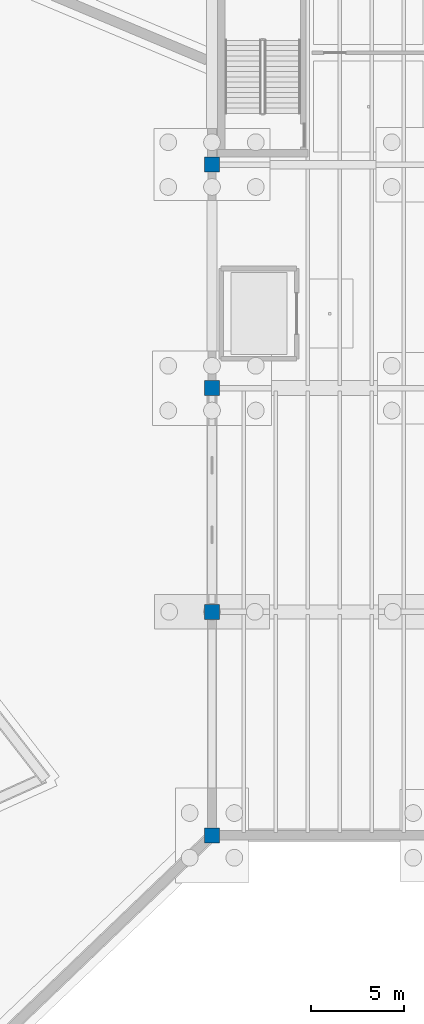
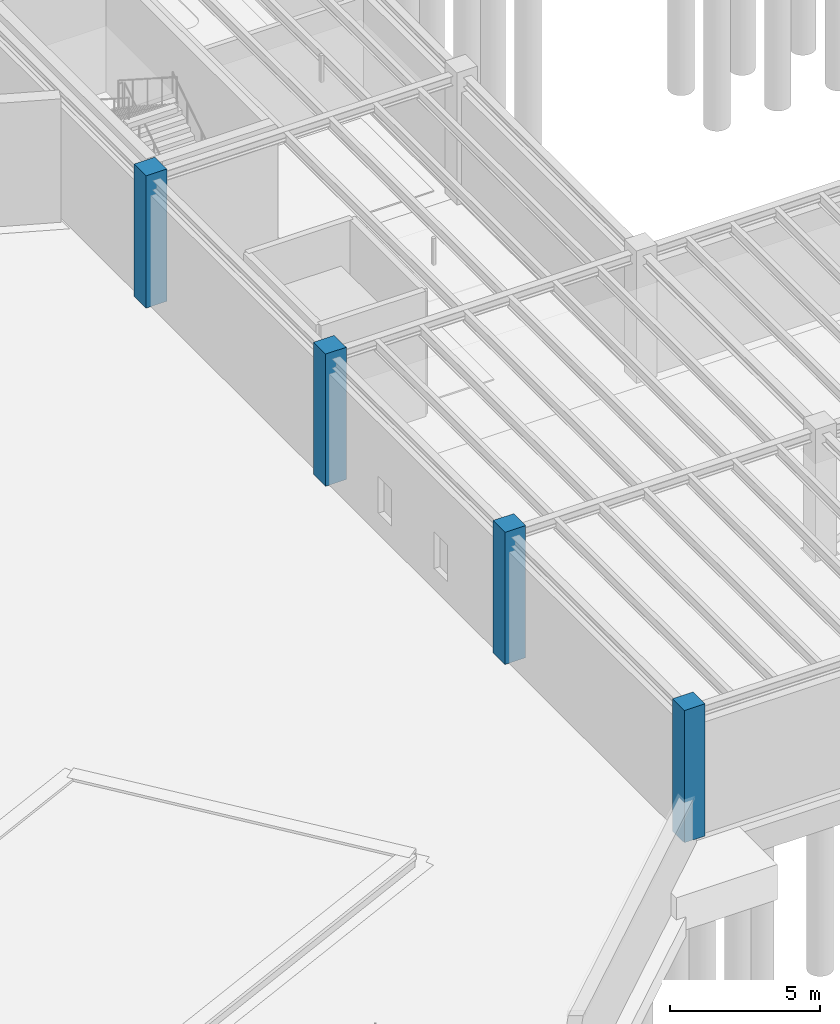
# One storey, part 11 of 67: 4 columns.
"""IFC4 building model written with IfcOpenShell, lengths in metres."""

from ifc_helpers import new_model, si_unit, direction, frame, origin, origin_2d, place, context, subcontext, project, spatial, rectangle, extrude, material, material_profile, profile_set, type_object, element, save


model = new_model("IFC4")

# Units and contexts
model_context = context("Model", 3, precision=1e-05, world=origin(), true_north=direction((0.0, 1.0)))
body_context = subcontext(model_context, "Body", "Model", "MODEL_VIEW")
ifc_project = project(units=[si_unit("LENGTHUNIT", "METRE"), si_unit("AREAUNIT", "SQUARE_METRE"), si_unit("VOLUMEUNIT", "CUBIC_METRE"), si_unit("PLANEANGLEUNIT", "RADIAN"), si_unit("MASSUNIT", "GRAM", prefix="KILO")], contexts=[model_context])

# Site, building, storey
site_placement = place(None, origin())
site = spatial("IfcSite", under=ifc_project, at=site_placement, CompositionType="ELEMENT")
building_placement = place(site_placement, origin())
building = spatial("IfcBuilding", under=site, at=building_placement, Name="Zlatogorsky Bluff Art Gallery", CompositionType="ELEMENT")
storey_placement = place(building_placement, frame((0.0, 0.0, -5.39990234375)))
storey = spatial("IfcBuildingStorey", under=building, at=storey_placement, Name="B1", CompositionType="ELEMENT", Elevation=-5.39990234375)

# Columns
ifc_material = material(Name="Concrete C35/45", Category="concrete")
ifc_material_profile = material_profile(ifc_material, rectangle(XDim=0.800048828125, YDim=0.800048828125, at=origin_2d()), Name="RC 800x800")
ifc_profile_set = profile_set([ifc_material_profile], Name="Concrete C35/45")
column_type = type_object("IfcColumnType", Name="Column CL-11 RC 800x800", PredefinedType="COLUMN", material=ifc_profile_set)
for number, where, z_axis, x_axis, name in (
    (1, (120.0, 26.39990234375, 0.0), (0.0, 0.0, 1.0), (1.0, 0.0, 0.0), "Column CL-11 B1 L4"),
    (2, (120.0, 38.39990234375, 0.0), (0.0, 0.0, 1.0), (1.0, 0.0, 0.0), "Column CL-11 B1 L5"),
    (3, (120.0, 50.39990234375, 0.0), (0.0, 0.0, 1.0), (1.0, 0.0, 0.0), "Column CL-11 B1 L6"),
    (4, (120.0, 62.39990234375, 0.0), (0.0, 0.0, 1.0), (1.0, 0.0, 0.0), "Column CL-11 B1 L7"),
):
    element("IfcColumn", number, at=place(storey_placement, frame(where, z_axis=z_axis, x_axis=x_axis)), inside=storey, type_object=column_type, Name=name, PredefinedType="COLUMN", context=body_context, shape_type="SweptSolid", body=[
        extrude(rectangle(XDim=0.800048828125, YDim=0.800048828125, at=origin_2d()), origin(), (0.0, 0.0, 1.0), 5.39990234375),
    ])

save(model, "model.ifc")
